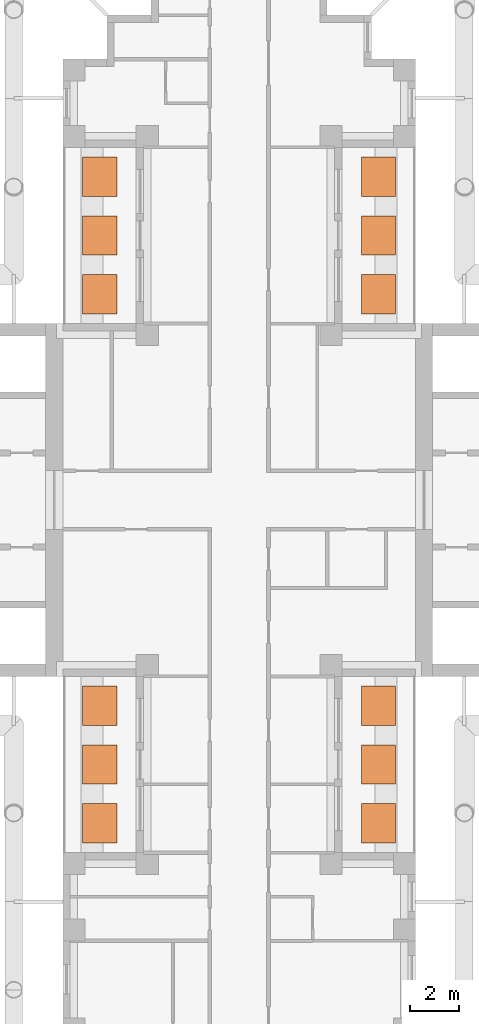
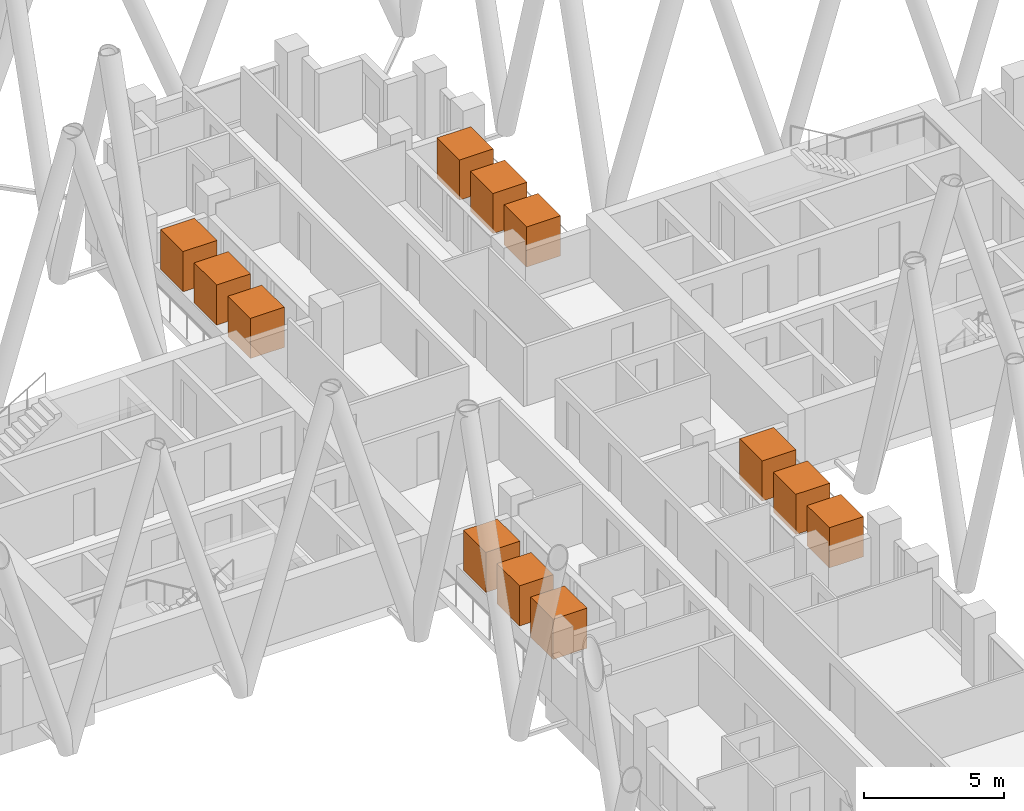
# One storey, part 14 of 14: 12 geographic elements.
"""IFC4 building model written with IfcOpenShell, lengths in metres."""

from ifc_helpers import new_model, si_unit, direction, frame, origin, origin_2d, place, context, subcontext, project, spatial, rectangle, extrude, material, element, save


model = new_model("IFC4")

# Units and contexts
model_context = context("Model", 3, precision=1e-05, world=origin(), true_north=direction((0.0, 1.0)))
body_context = subcontext(model_context, "Body", "Model", "MODEL_VIEW")
ifc_project = project(units=[si_unit("LENGTHUNIT", "METRE"), si_unit("AREAUNIT", "SQUARE_METRE"), si_unit("VOLUMEUNIT", "CUBIC_METRE"), si_unit("PLANEANGLEUNIT", "RADIAN"), si_unit("MASSUNIT", "GRAM", prefix="KILO")], contexts=[model_context])

# Site, building, storey
site_placement = place(None, origin())
site = spatial("IfcSite", under=ifc_project, at=site_placement, CompositionType="ELEMENT")
building_placement = place(site_placement, origin())
building = spatial("IfcBuilding", under=site, at=building_placement, Name="Fustian Cross Tower", CompositionType="ELEMENT")
storey_placement = place(building_placement, frame((0.0, 0.0, 78.89990234375)))
storey = spatial("IfcBuildingStorey", under=building, at=storey_placement, Name="L24", CompositionType="ELEMENT", Elevation=78.89990234375)

# Geographic elements
ifc_material = material(Name="Evergreen foliage")
for number, where, z_axis, x_axis, name in (
    (1, (5.68994140625, 8.39990234375, 0.800048828125), (0.0, 0.0, 1.0), (1.0, 0.0, 0.0), "TREE field maple"),
    (2, (5.68994140625, 10.800048828125, 0.800048828125), (0.0, 0.0, 1.0), (1.0, 0.0, 0.0), "TREE field maple"),
    (3, (5.68994140625, 13.199951171875, 0.800048828125), (0.0, 0.0, 1.0), (1.0, 0.0, 0.0), "TREE field maple"),
    (4, (-5.68994140625, 8.39990234375, 0.800048828125), (0.0, 0.0, 1.0), (1.0, 0.0, 0.0), "TREE field maple"),
    (5, (-5.68994140625, 10.800048828125, 0.800048828125), (0.0, 0.0, 1.0), (1.0, 0.0, 0.0), "TREE field maple"),
    (6, (-5.68994140625, 13.199951171875, 0.800048828125), (0.0, 0.0, 1.0), (1.0, 0.0, 0.0), "TREE field maple"),
    (7, (5.68994140625, -13.199951171875, 0.800048828125), (0.0, 0.0, 1.0), (1.0, 0.0, 0.0), "TREE field maple"),
    (8, (5.68994140625, -10.800048828125, 0.800048828125), (0.0, 0.0, 1.0), (1.0, 0.0, 0.0), "TREE field maple"),
    (9, (5.68994140625, -8.39990234375, 0.800048828125), (0.0, 0.0, 1.0), (1.0, 0.0, 0.0), "TREE field maple"),
    (10, (-5.68994140625, -13.199951171875, 0.800048828125), (0.0, 0.0, 1.0), (1.0, 0.0, 0.0), "TREE field maple"),
    (11, (-5.68994140625, -10.800048828125, 0.800048828125), (0.0, 0.0, 1.0), (1.0, 0.0, 0.0), "TREE field maple"),
    (12, (-5.68994140625, -8.39990234375, 0.800048828125), (0.0, 0.0, 1.0), (1.0, 0.0, 0.0), "TREE field maple"),
):
    element("IfcGeographicElement", number, at=place(storey_placement, frame(where, z_axis=z_axis, x_axis=x_axis)), inside=storey, material=ifc_material, Name=name, ObjectType="VEGETATION", PredefinedType="USERDEFINED", context=body_context, shape_type="SweptSolid", body=[
        extrude(rectangle(XDim=1.39990234375, YDim=1.60009765625, at=origin_2d()), origin(), (0.0, 0.0, 1.0), 1.75),
    ])

save(model, "model.ifc")
